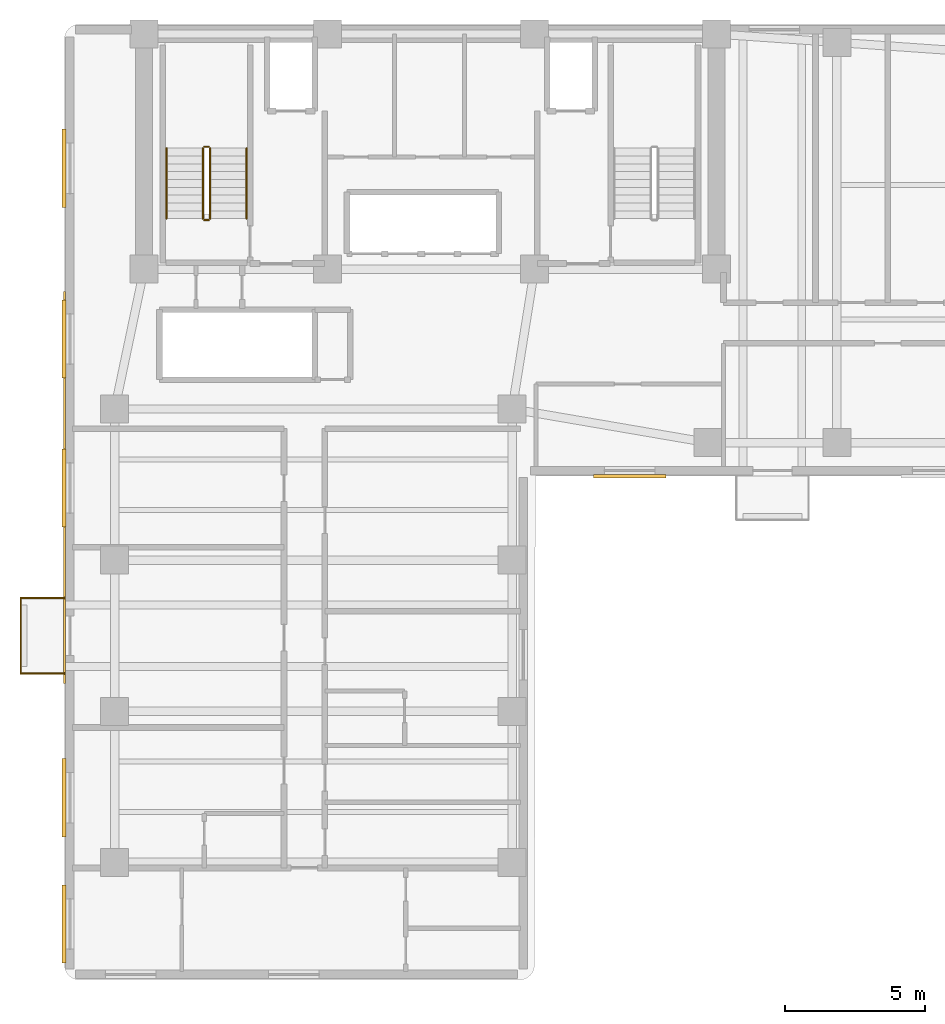
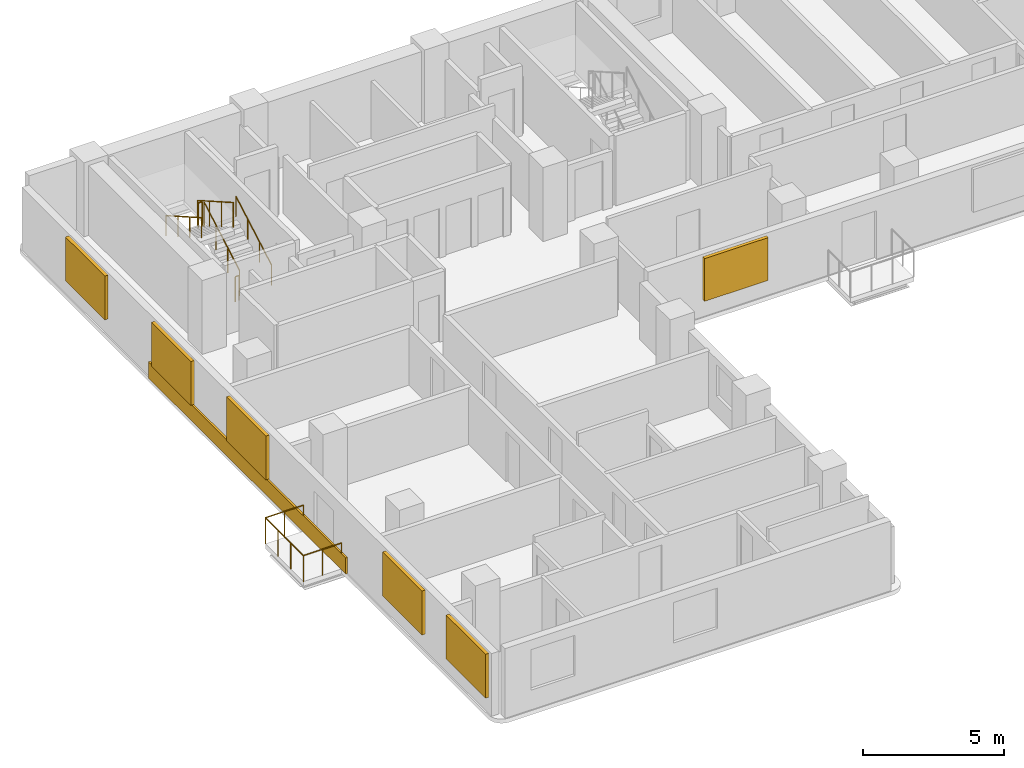
# One storey, part 6 of 7: 9 railings, 6 shading devices, 1 covering.
"""IFC4 building model written with IfcOpenShell, lengths in metres."""

from ifc_helpers import new_model, si_unit, direction, frame, origin, origin_2d, place, context, subcontext, project, spatial, rectangle, circle, extrude, material, layer, layer_set, type_object, element, save


model = new_model("IFC4")

# Units and contexts
model_context = context("Model", 3, precision=1e-05, world=origin(), true_north=direction((0.0, 1.0)))
body_context = subcontext(model_context, "Body", "Model", "MODEL_VIEW")
ifc_project = project(units=[si_unit("LENGTHUNIT", "METRE"), si_unit("AREAUNIT", "SQUARE_METRE"), si_unit("VOLUMEUNIT", "CUBIC_METRE"), si_unit("PLANEANGLEUNIT", "RADIAN"), si_unit("MASSUNIT", "GRAM", prefix="KILO")], contexts=[model_context])

# Site, building, storey
site_placement = place(None, origin())
site = spatial("IfcSite", under=ifc_project, at=site_placement, CompositionType="ELEMENT")
building_placement = place(site_placement, origin())
building = spatial("IfcBuilding", under=site, at=building_placement, Name="Kuzgunbayir Cultural Tower", CompositionType="ELEMENT")
storey_placement = place(building_placement, frame((0.0, 0.0, 133.0)))
storey = spatial("IfcBuildingStorey", under=building, at=storey_placement, Name="L38", CompositionType="ELEMENT", Elevation=133.0)

# Covering
ifc_material_1 = material(Name="Perforated Bronze-Anodised Aluminium", Category="aluminium")
ifc_layer_1 = layer(ifc_material_1, 0.080078125)
ifc_layer_set_1 = layer_set([ifc_layer_1], Name="Perforated Bronze-Anodised Aluminium")
covering_type = type_object("IfcCoveringType", Name="COV-CLAD-BRONZE-8", PredefinedType="CLADDING", material=ifc_layer_set_1)
covering_placement = place(storey_placement, frame((3.610107421875, 26.0, 0.0), z_axis=(0.0, 0.0, 1.0), x_axis=(1.0, 0.0, 0.0)))
element("IfcCovering", 1, at=covering_placement, inside=storey, type_object=covering_type, Name="L38 Architectural Spandrel Cladding Band", PredefinedType="CLADDING", context=body_context, shape_type="SweptSolid", body=[
    extrude(rectangle(XDim=0.080078125, YDim=14.0, at=origin_2d()), origin(), (0.0, 0.0, 1.0), 0.699951171875),
])

# Railings
ifc_material_2 = material(Name="Laminated Glass and Stainless Steel", Category="steel")
ifc_layer_2 = layer(ifc_material_2, 0.080078125)
ifc_layer_set_2 = layer_set([ifc_layer_2], Name="Laminated Glass and Stainless Steel")
railing_type_1 = type_object("IfcRailingType", Name="RLG-BAL-115", PredefinedType="BALUSTRADE", material=ifc_layer_set_2)
railing_1_placement = place(storey_placement, frame((3.60009765625, 19.35009765625, 0.0)))
element("IfcRailing", 2, at=railing_1_placement, inside=storey, type_object=railing_type_1, Name="L38 Balcony Guard BAL-L38-WA2 Segment 1", PredefinedType="BALUSTRADE", context=body_context, shape_type="SweptSolid", body=[
    extrude(circle(Radius=0.02392578125, at=origin_2d()), frame((0.0, 0.0, 1.1259765625), z_axis=(-1.0, 0.0, 0.0), x_axis=(0.0, -1.0, 0.0)), (0.0, 0.0, 1.0), 1.56005859375),
    extrude(circle(Radius=0.02099609375, at=origin_2d()), origin(), (0.0, 0.0, 1.0), 1.101806640625),
    extrude(circle(Radius=0.02099609375, at=origin_2d()), frame((-0.780029296875, 0.0, 0.0)), (0.0, 0.0, 1.0), 1.101806640625),
    extrude(circle(Radius=0.02099609375, at=origin_2d()), frame((-1.56005859375, 0.0, 0.0)), (0.0, 0.0, 1.0), 1.101806640625),
])
railing_2_placement = place(storey_placement, frame((2.0400390625, 19.35009765625, 0.0)))
element("IfcRailing", 3, at=railing_2_placement, inside=storey, type_object=railing_type_1, Name="L38 Balcony Guard BAL-L38-WA2 Segment 2", PredefinedType="BALUSTRADE", context=body_context, shape_type="SweptSolid", body=[
    extrude(circle(Radius=0.02392578125, at=origin_2d()), frame((0.0, 0.0, 1.1259765625), z_axis=(0.0, 1.0, 0.0), x_axis=(-1.0, 0.0, 0.0)), (0.0, 0.0, 1.0), 2.699951171875),
    extrude(circle(Radius=0.02099609375, at=origin_2d()), origin(), (0.0, 0.0, 1.0), 1.101806640625),
    extrude(circle(Radius=0.02099609375, at=origin_2d()), frame((0.0, 0.89990234375, 0.0)), (0.0, 0.0, 1.0), 1.101806640625),
    extrude(circle(Radius=0.02099609375, at=origin_2d()), frame((0.0, 1.800048828125, 0.0)), (0.0, 0.0, 1.0), 1.101806640625),
    extrude(circle(Radius=0.02099609375, at=origin_2d()), frame((0.0, 2.699951171875, 0.0)), (0.0, 0.0, 1.0), 1.101806640625),
])
railing_3_placement = place(storey_placement, frame((2.0400390625, 22.050048828125, 0.0)))
element("IfcRailing", 4, at=railing_3_placement, inside=storey, type_object=railing_type_1, Name="L38 Balcony Guard BAL-L38-WA2 Segment 3", PredefinedType="BALUSTRADE", context=body_context, shape_type="SweptSolid", body=[
    extrude(circle(Radius=0.02392578125, at=origin_2d()), frame((0.0, 0.0, 1.1259765625), z_axis=(1.0, 0.0, 0.0), x_axis=(0.0, 1.0, 0.0)), (0.0, 0.0, 1.0), 1.56005859375),
    extrude(circle(Radius=0.02099609375, at=origin_2d()), origin(), (0.0, 0.0, 1.0), 1.101806640625),
    extrude(circle(Radius=0.02099609375, at=origin_2d()), frame((0.780029296875, 0.0, 0.0)), (0.0, 0.0, 1.0), 1.101806640625),
    extrude(circle(Radius=0.02099609375, at=origin_2d()), frame((1.56005859375, 0.0, 0.0)), (0.0, 0.0, 1.0), 1.101806640625),
])
ifc_material_3 = material(Name="Brushed Stainless Steel", Category="steel")
ifc_layer_3 = layer(ifc_material_3, 0.050048828125)
ifc_layer_set_3 = layer_set([ifc_layer_3], Name="Brushed Stainless Steel")
railing_type_2 = type_object("IfcRailingType", Name="RLG-STAIR-HANDRAIL", PredefinedType="HANDRAIL", material=ifc_layer_set_3)
railing_4_placement = place(storey_placement, frame((10.110107421875, 35.60009765625, 0.159912109375)))
element("IfcRailing", 5, at=railing_4_placement, inside=storey, type_object=railing_type_2, Name="L38 ST-1 stair handrail 1", PredefinedType="HANDRAIL", context=body_context, shape_type="SweptSolid", body=[
    extrude(circle(Radius=0.02392578125, at=origin_2d()), frame((0.0, 0.0, 0.8759765625), z_axis=(0.0, 0.868217259934, 0.496184229447), x_axis=(-1.0, 0.0, 0.0)), (0.0, 0.0, 1.0), 2.902587890625),
    extrude(circle(Radius=0.02099609375, at=origin_2d()), origin(), (0.0, 0.0, 1.0), 0.851806640625),
    extrude(circle(Radius=0.02099609375, at=origin_2d()), frame((0.0, 0.840087890625, 0.47998046875)), (0.0, 0.0, 1.0), 0.851806640625),
    extrude(circle(Radius=0.02099609375, at=origin_2d()), frame((0.0, 1.679931640625, 0.960205078125)), (0.0, 0.0, 1.0), 0.851806640625),
    extrude(circle(Radius=0.02099609375, at=origin_2d()), frame((0.0, 2.52001953125, 1.440185546875)), (0.0, 0.0, 1.0), 0.851806640625),
])
railing_5_placement = place(storey_placement, frame((7.25, 38.1201171875, 1.760009765625)))
element("IfcRailing", 6, at=railing_5_placement, inside=storey, type_object=railing_type_2, Name="L38 ST-1 stair handrail 2", PredefinedType="HANDRAIL", context=body_context, shape_type="SweptSolid", body=[
    extrude(circle(Radius=0.02392578125, at=origin_2d()), frame((0.0, 0.0, 0.8759765625), z_axis=(0.0, -0.868253494771, 0.496120820787), x_axis=(1.0, 0.0, 0.0)), (0.0, 0.0, 1.0), 2.90234375),
    extrude(circle(Radius=0.02099609375, at=origin_2d()), origin(), (0.0, 0.0, 1.0), 0.851806640625),
    extrude(circle(Radius=0.02099609375, at=origin_2d()), frame((0.0, -0.840087890625, 0.47998046875)), (0.0, 0.0, 1.0), 0.851806640625),
    extrude(circle(Radius=0.02099609375, at=origin_2d()), frame((0.0, -1.679931640625, 0.9599609375)), (0.0, 0.0, 1.0), 0.851806640625),
    extrude(circle(Radius=0.02099609375, at=origin_2d()), frame((0.0, -2.52001953125, 1.43994140625)), (0.0, 0.0, 1.0), 0.851806640625),
])
ifc_material_4 = material(Name="Painted Steel Balustrade", Category="steel")
ifc_layer_4 = layer(ifc_material_4, 0.06005859375)
ifc_layer_set_4 = layer_set([ifc_layer_4], Name="Painted Steel Balustrade")
railing_type_3 = type_object("IfcRailingType", Name="RLG-WELL-GUARD", PredefinedType="GUARDRAIL", material=ifc_layer_set_4)
railing_6_placement = place(storey_placement, frame((8.81005859375, 35.60009765625, 0.159912109375)))
element("IfcRailing", 7, at=railing_6_placement, inside=storey, type_object=railing_type_3, Name="L38 ST-1 stair guard 1", PredefinedType="GUARDRAIL", context=body_context, shape_type="SweptSolid", body=[
    extrude(circle(Radius=0.02392578125, at=origin_2d()), frame((0.0, 0.0, 1.076171875), z_axis=(0.0, 0.868217259934, 0.496184229447), x_axis=(-1.0, 0.0, 0.0)), (0.0, 0.0, 1.0), 2.902587890625),
    extrude(circle(Radius=0.02099609375, at=origin_2d()), origin(), (0.0, 0.0, 1.0), 1.052001953125),
    extrude(circle(Radius=0.02099609375, at=origin_2d()), frame((0.0, 0.840087890625, 0.47998046875)), (0.0, 0.0, 1.0), 1.052001953125),
    extrude(circle(Radius=0.02099609375, at=origin_2d()), frame((0.0, 1.679931640625, 0.960205078125)), (0.0, 0.0, 1.0), 1.052001953125),
    extrude(circle(Radius=0.02099609375, at=origin_2d()), frame((0.0, 2.52001953125, 1.440185546875)), (0.0, 0.0, 1.0), 1.052001953125),
])
railing_7_placement = place(storey_placement, frame((8.760009765625, 38.169921875, 1.60009765625)))
element("IfcRailing", 8, at=railing_7_placement, inside=storey, type_object=railing_type_3, Name="L38 ST-1 stair guard 2", PredefinedType="GUARDRAIL", context=body_context, shape_type="SweptSolid", body=[
    extrude(circle(Radius=0.02392578125, at=origin_2d()), frame((0.0, 0.0, 1.076171875), z_axis=(-1.0, 0.0, 0.0), x_axis=(0.0, -1.0, 0.0)), (0.0, 0.0, 1.0), 0.159912109375),
    extrude(circle(Radius=0.02099609375, at=origin_2d()), origin(), (0.0, 0.0, 1.0), 1.052001953125),
    extrude(circle(Radius=0.02099609375, at=origin_2d()), frame((-0.159912109375, 0.0, 0.0)), (0.0, 0.0, 1.0), 1.052001953125),
])
railing_8_placement = place(storey_placement, frame((8.550048828125, 38.1201171875, 1.760009765625)))
element("IfcRailing", 9, at=railing_8_placement, inside=storey, type_object=railing_type_3, Name="L38 ST-1 stair guard 3", PredefinedType="GUARDRAIL", context=body_context, shape_type="SweptSolid", body=[
    extrude(circle(Radius=0.02392578125, at=origin_2d()), frame((0.0, 0.0, 1.076171875), z_axis=(0.0, -0.868253494771, 0.496120820787), x_axis=(1.0, 0.0, 0.0)), (0.0, 0.0, 1.0), 2.90234375),
    extrude(circle(Radius=0.02099609375, at=origin_2d()), origin(), (0.0, 0.0, 1.0), 1.052001953125),
    extrude(circle(Radius=0.02099609375, at=origin_2d()), frame((0.0, -0.840087890625, 0.47998046875)), (0.0, 0.0, 1.0), 1.052001953125),
    extrude(circle(Radius=0.02099609375, at=origin_2d()), frame((0.0, -1.679931640625, 0.9599609375)), (0.0, 0.0, 1.0), 1.052001953125),
    extrude(circle(Radius=0.02099609375, at=origin_2d()), frame((0.0, -2.52001953125, 1.43994140625)), (0.0, 0.0, 1.0), 1.052001953125),
])
railing_9_placement = place(storey_placement, frame((8.760009765625, 35.550048828125, 0.0)))
element("IfcRailing", 10, at=railing_9_placement, inside=storey, type_object=railing_type_3, Name="L38 ST-1 stair guard 4", PredefinedType="GUARDRAIL", context=body_context, shape_type="SweptSolid", body=[
    extrude(circle(Radius=0.02392578125, at=origin_2d()), frame((0.0, 0.0, 1.076171875), z_axis=(-1.0, 0.0, 0.0), x_axis=(0.0, -1.0, 0.0)), (0.0, 0.0, 1.0), 0.159912109375),
    extrude(circle(Radius=0.02099609375, at=origin_2d()), origin(), (0.0, 0.0, 1.0), 1.052001953125),
    extrude(circle(Radius=0.02099609375, at=origin_2d()), frame((-0.159912109375, 0.0, 0.0)), (0.0, 0.0, 1.0), 1.052001953125),
])

# Shading devices
shading_device_type = type_object("IfcShadingDeviceType", Name="SHD-SOLAR-BRONZE", PredefinedType="JALOUSIE", material=ifc_material_1)
shading_device_placement = place(storey_placement, frame((23.800048828125, 26.39990234375, 0.73486328125), z_axis=(0.0, 0.0, 1.0), x_axis=(1.0, 0.0, 0.0)))
element("IfcShadingDevice", 11, at=shading_device_placement, inside=storey, type_object=shading_device_type, Name="L38 Solar Screen WBS1", PredefinedType="JALOUSIE", context=body_context, shape_type="SweptSolid", body=[
    extrude(rectangle(XDim=2.60009765625, YDim=0.139892578125, at=origin_2d()), origin(), (0.0, 0.0, 1.0), 1.85009765625),
])
for number, where, z_axis, x_axis, name in (
    (12, (3.590087890625, 14.909912109375, 0.7099609375), (0.0, 0.0, 1.0), (1.0, 0.0, 0.0), "L38 Perforated Bronze Solar Screen WAW2"),
    (13, (3.590087890625, 25.97998046875, 0.7099609375), (0.0, 0.0, 1.0), (1.0, 0.0, 0.0), "L38 Perforated Bronze Solar Screen WAW3"),
    (14, (3.590087890625, 10.39990234375, 0.7099609375), (0.0, 0.0, 1.0), (1.0, 0.0, 0.0), "L38 Perforated Bronze Solar Screen WAW10"),
    (15, (3.590087890625, 31.300048828125, 0.7099609375), (0.0, 0.0, 1.0), (1.0, 0.0, 0.0), "L38 Perforated Bronze Solar Screen WAW11"),
    (16, (3.590087890625, 37.39990234375, 0.7099609375), (0.0, 0.0, 1.0), (1.0, 0.0, 0.0), "L38 Perforated Bronze Solar Screen WAW12"),
):
    element("IfcShadingDevice", number, at=place(storey_placement, frame(where, z_axis=z_axis, x_axis=x_axis)), inside=storey, type_object=shading_device_type, Name=name, PredefinedType="JALOUSIE", context=body_context, shape_type="SweptSolid", body=[
        extrude(rectangle(XDim=0.139892578125, YDim=2.800048828125, at=origin_2d()), origin(), (0.0, 0.0, 1.0), 1.89990234375),
    ])

save(model, "model.ifc")
